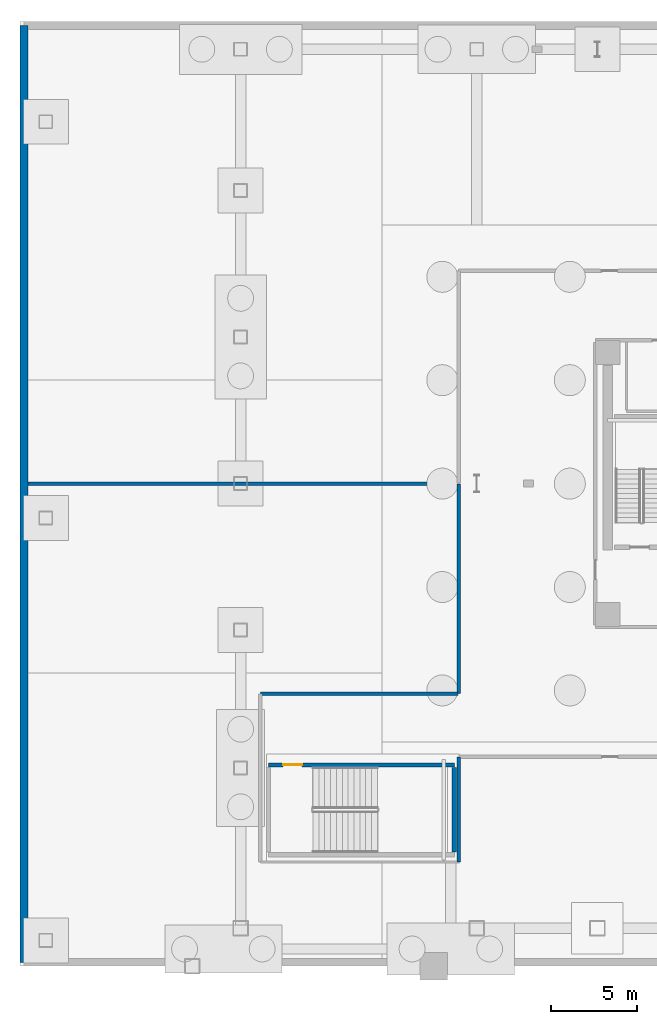
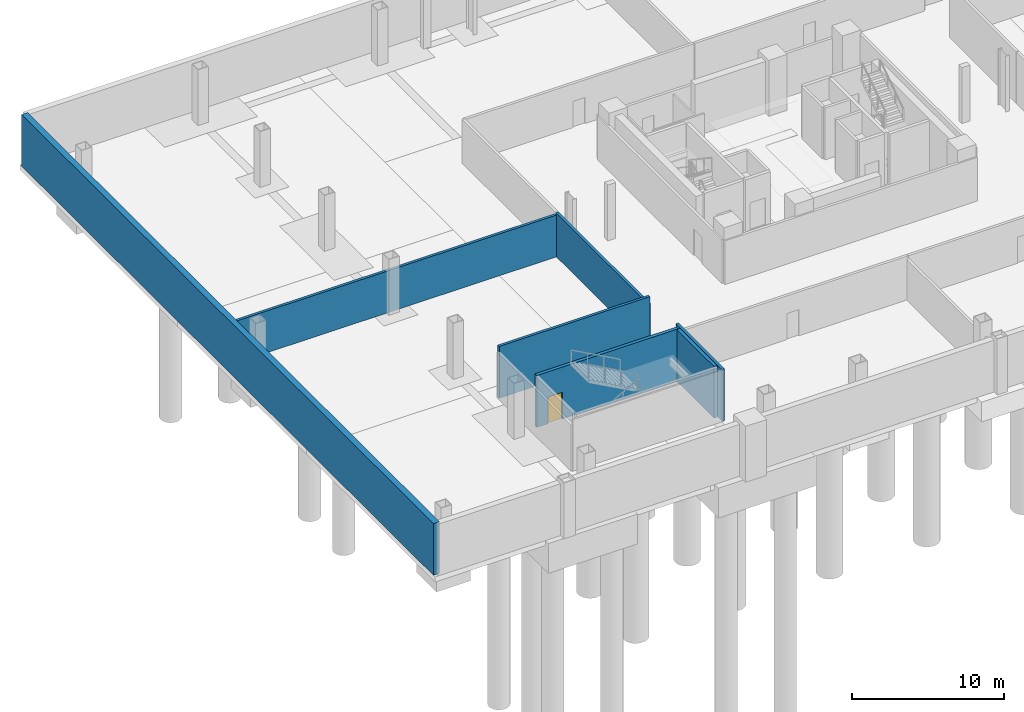
# One storey, part 6 of 15: 7 walls, 1 door, 1 opening.
"""IFC4 building model written with IfcOpenShell, lengths in metres."""

from ifc_helpers import new_model, si_unit, direction, frame, frame_2d, origin, place, context, subcontext, project, spatial, rectangle, extrude, material, layer, layer_set, type_object, element, fill, save


model = new_model("IFC4")

# Units and contexts
model_context = context("Model", 3, precision=1e-05, world=origin(), true_north=direction((0.0, 1.0)))
body_context = subcontext(model_context, "Body", "Model", "MODEL_VIEW")
ifc_project = project(units=[si_unit("LENGTHUNIT", "METRE"), si_unit("AREAUNIT", "SQUARE_METRE"), si_unit("VOLUMEUNIT", "CUBIC_METRE"), si_unit("PLANEANGLEUNIT", "RADIAN"), si_unit("MASSUNIT", "GRAM", prefix="KILO")], contexts=[model_context])

# Site, building, storey
site_placement = place(None, origin())
site = spatial("IfcSite", under=ifc_project, at=site_placement, CompositionType="ELEMENT")
building_placement = place(site_placement, origin())
building = spatial("IfcBuilding", under=site, at=building_placement, Name="Tharavind Bronze Gate", CompositionType="ELEMENT")
storey_placement = place(building_placement, frame((0.0, 0.0, -9.0)))
storey = spatial("IfcBuildingStorey", under=building, at=storey_placement, Name="B02", CompositionType="ELEMENT", Elevation=-9.0)

# Walls
ifc_material_1 = material(Name="Concrete C50/60", Category="concrete")
ifc_layer_1 = layer(ifc_material_1, 0.449951171875)
ifc_layer_set_1 = layer_set([ifc_layer_1], Name="Concrete C50/60")
wall_type_1 = type_object("IfcWallType", Name="BASEMENT RETAINING WALL 450", PredefinedType="STANDARD", material=ifc_layer_set_1)
wall_1_placement = place(storey_placement, frame((-42.77490234375, 26.574951171875, 0.0), z_axis=(0.0, 0.0, 1.0), x_axis=(0.0, -1.0, 0.0)))
element("IfcWall", 1, at=wall_1_placement, inside=storey, type_object=wall_type_1, Name="B02 perimeter retaining wall 4", PredefinedType="STANDARD", context=body_context, shape_type="SweptSolid", body=[
    extrude(rectangle(XDim=54.349853515625, YDim=0.449951171875, at=frame_2d((27.1748046875, 0.0))), origin(), (0.0, 0.0, 1.0), 4.175048828125),
])
ifc_material_2 = material(Name="Aerated Concrete Block", Category="concrete")
ifc_layer_2 = layer(ifc_material_2, 0.199951171875)
ifc_layer_set_2 = layer_set([ifc_layer_2], Name="Aerated Concrete Block")
wall_type_2 = type_object("IfcWallType", Name="FIRE RATED PARTITION 200", PredefinedType="PARTITIONING", material=ifc_layer_set_2)
wall_2_placement = place(storey_placement, frame((-17.574951171875, 0.0, 0.0), z_axis=(0.0, 0.0, 1.0), x_axis=(-1.0, 0.0, 0.0)))
element("IfcWall", 2, at=wall_2_placement, inside=storey, type_object=wall_type_2, Name="B02 HV Transformer & Substation Room partition", PredefinedType="PARTITIONING", context=body_context, shape_type="SweptSolid", body=[
    extrude(rectangle(XDim=24.969970703125, YDim=0.199951171875, at=frame_2d((12.48486328125, 0.0))), origin(), (0.0, 0.0, 1.0), 3.3701171875),
])
wall_3_placement = place(storey_placement, frame((-17.550048828125, -0.02490234375, 0.0), z_axis=(0.0, 0.0, 1.0), x_axis=(0.0, -1.0, 0.0)))
element("IfcWall", 3, at=wall_3_placement, inside=storey, type_object=wall_type_2, Name="B02 Domestic & Fire Water Tank Hall partition", PredefinedType="PARTITIONING", context=body_context, shape_type="SweptSolid", body=[
    extrude(rectangle(XDim=12.150146484375, YDim=0.199951171875, at=frame_2d((6.0751953125, 0.0))), origin(), (0.0, 0.0, 1.0), 3.52001953125),
])
wall_4_placement = place(storey_placement, frame((-17.574951171875, -12.199951171875, 0.0), z_axis=(0.0, 0.0, 1.0), x_axis=(-1.0, 0.0, 0.0)))
element("IfcWall", 4, at=wall_4_placement, inside=storey, type_object=wall_type_2, Name="B02 Domestic & Fire Water Tank Hall partition", PredefinedType="PARTITIONING", context=body_context, shape_type="SweptSolid", body=[
    extrude(rectangle(XDim=11.474365234375, YDim=0.199951171875, at=frame_2d((5.7373046875, 0.0))), origin(), (0.0, 0.0, 1.0), 4.175048828125),
])
wall_5_placement = place(storey_placement, frame((-17.550048828125, -21.949462890625, 0.0), z_axis=(0.0, 0.0, 1.0), x_axis=(0.0, 1.0, 0.0)))
element("IfcWall", 5, at=wall_5_placement, inside=storey, type_object=wall_type_2, Name="B02 Domestic & Fire Water Tank Hall partition", PredefinedType="PARTITIONING", context=body_context, shape_type="SweptSolid", body=[
    extrude(rectangle(XDim=6.074462890625, YDim=0.199951171875, at=frame_2d((3.037109375, 0.0))), origin(), (0.0, 0.0, 1.0), 4.175048828125),
])

# Wall, opening, door
ifc_layer_3 = layer(ifc_material_1, 0.25)
ifc_layer_set_3 = layer_set([ifc_layer_3], Name="Concrete C50/60")
wall_type_3 = type_object("IfcWallType", Name="RC CORE SHEAR WALL 250", PredefinedType="SHEAR", material=ifc_layer_set_3)
wall_6_placement = place(storey_placement, frame((-28.580078125, -16.320068359375, 0.0), z_axis=(0.0, 0.0, 1.0), x_axis=(1.0, 0.0, 0.0)))
wall_6 = element("IfcWall", 6, at=wall_6_placement, inside=storey, type_object=wall_type_3, Name="B02 ST3 north wall", PredefinedType="SHEAR", context=body_context, shape_type="SweptSolid", body=[
    extrude(rectangle(XDim=10.780029296875, YDim=0.25, at=frame_2d((5.39013671875, 0.0))), origin(), (0.0, 0.0, 1.0), 4.175048828125),
])
opening_placement = place(wall_6_placement, frame((0.85009765625, 0.0, 0.0)))
opening = element("IfcOpeningElement", 7, at=opening_placement, cuts=wall_6, Name="Opening ID01", PredefinedType="OPENING", context=body_context, shape_type="SweptSolid", body=[
    extrude(rectangle(XDim=1.10009765625, YDim=2.14990234375, at=frame_2d((0.550048828125, 1.074951171875))), frame((0.0, 0.135, 0.0), z_axis=(0.0, -1.0, 0.0), x_axis=(1.0, 0.0, 0.0)), (0.0, 0.0, 1.0), 0.27),
])
ifc_material_3 = material(Name="Fire-Rated Steel", Category="steel")
door_type = type_object("IfcDoorType", Name="STAIR CORE FIRE DOOR 1100X2150", OperationType="SINGLE_SWING_LEFT", PredefinedType="DOOR", material=ifc_material_3)
door_placement = place(opening_placement, frame((1.10009765625, 0.0, 0.0), z_axis=(0.0, 0.0, 1.0), x_axis=(-1.0, 0.0, 0.0)))
door = element("IfcDoor", 8, at=door_placement, inside=storey, type_object=door_type, Name="B02 podium stair ST3 fire door", OperationType="SINGLE_SWING_LEFT", OverallHeight=2.14990234375, OverallWidth=1.10009765625, PredefinedType="DOOR", context=body_context, shape_type="SweptSolid", body=[
    extrude(rectangle(XDim=1.10009765625, YDim=2.14990234375, at=frame_2d((0.550048828125, 1.074951171875))), frame((0.0, 0.02490234375, 0.0), z_axis=(0.0, -1.0, 0.0), x_axis=(1.0, 0.0, 0.0)), (0.0, 0.0, 1.0), 0.050048828125),
])
fill(opening, door)

# Wall
wall_7_placement = place(storey_placement, frame((-17.800048828125, -21.3798828125, 0.0), z_axis=(0.0, 0.0, 1.0), x_axis=(0.0, 1.0, 0.0)))
element("IfcWall", 9, at=wall_7_placement, inside=storey, type_object=wall_type_3, Name="B02 ST3 east wall", PredefinedType="SHEAR", context=body_context, shape_type="SweptSolid", body=[
    extrude(rectangle(XDim=4.909912109375, YDim=0.25, at=frame_2d((2.455078125, 0.0))), origin(), (0.0, 0.0, 1.0), 4.175048828125),
])

save(model, "model.ifc")
